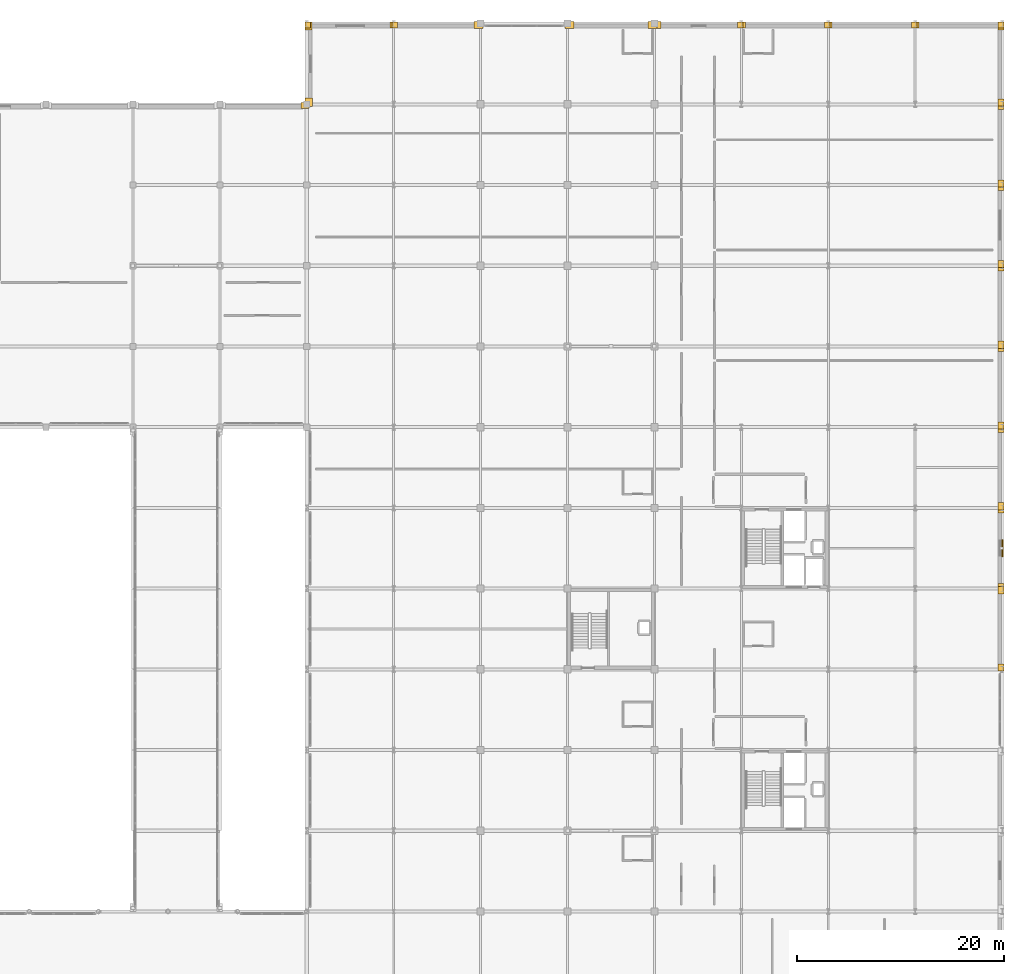
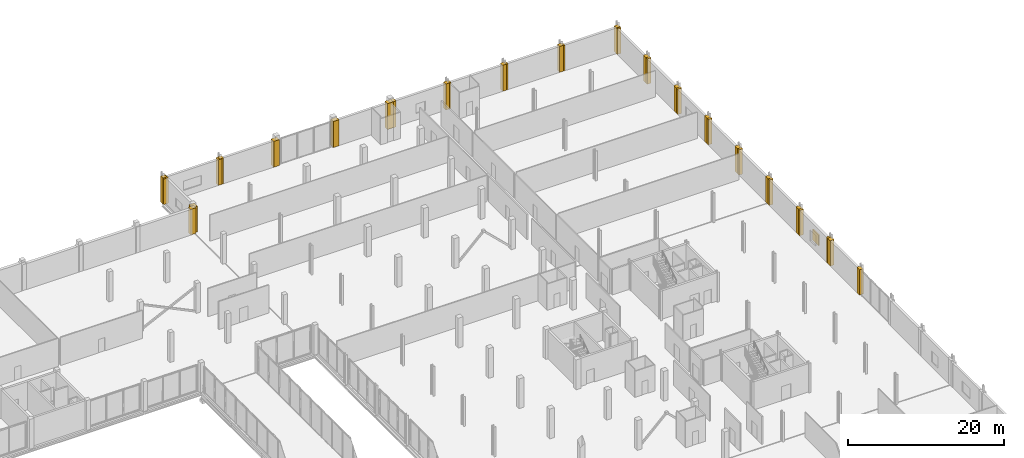
# One storey, part 98 of 98: 33 coverings, 1 shading device.
"""IFC4 building model written with IfcOpenShell, lengths in metres."""

from ifc_helpers import new_model, si_unit, direction, frame, origin, origin_2d, place, context, subcontext, project, spatial, polyline, rectangle, outline, extrude, material, layer, layer_set, type_object, element, save


model = new_model("IFC4")

# Units and contexts
model_context = context("Model", 3, precision=1e-05, world=origin(), true_north=direction((0.0, 1.0)))
body_context = subcontext(model_context, "Body", "Model", "MODEL_VIEW")
ifc_project = project(units=[si_unit("LENGTHUNIT", "METRE"), si_unit("AREAUNIT", "SQUARE_METRE"), si_unit("VOLUMEUNIT", "CUBIC_METRE"), si_unit("PLANEANGLEUNIT", "RADIAN"), si_unit("MASSUNIT", "GRAM", prefix="KILO")], contexts=[model_context])

# Site, building, storey
site_placement = place(None, origin())
site = spatial("IfcSite", under=ifc_project, at=site_placement, CompositionType="ELEMENT")
building_placement = place(site_placement, origin())
building = spatial("IfcBuilding", under=site, at=building_placement, Name="Nabrawat Pavilion Hospital", CompositionType="ELEMENT")
storey_placement = place(building_placement, frame((0.0, 0.0, 10.199951171875)))
storey = spatial("IfcBuildingStorey", under=building, at=storey_placement, Name="L02", CompositionType="ELEMENT", Elevation=10.199951171875)

# Coverings
ifc_material = material(Name="Precast concrete C40/50", Category="concrete")
ifc_layer_1 = layer(ifc_material, 0.360107421875, Name="Precast concrete C40/50")
ifc_layer_set_1 = layer_set([ifc_layer_1], Name="Precast concrete C40/50")
covering_type = type_object("IfcCoveringType", Name="Architectural Precast Column-Jamb Closure Reveal", PredefinedType="CLADDING", material=ifc_layer_set_1)
covering_1_placement = place(storey_placement, origin())
element("IfcCovering", 1, at=covering_1_placement, inside=storey, type_object=covering_type, Name="L02 Precast Facade Column-Jamb Weatherseal Closure 0368", PredefinedType="CLADDING", context=body_context, shape_type="SweptSolid", body=[
    extrude(outline(polyline([(126.195068359375, 116.5849609375), (126.195068359375, 117.195068359375), (125.455078125, 117.195068359375), (125.455078125, 116.5849609375), (126.195068359375, 116.5849609375)])), origin(), (0.0, 0.0, 1.0), 3.989990234375),
])
covering_2_placement = place(storey_placement, origin())
element("IfcCovering", 2, at=covering_2_placement, inside=storey, type_object=covering_type, Name="L02 Precast Facade Column-Jamb Weatherseal Closure 0387", PredefinedType="CLADDING", context=body_context, shape_type="SweptSolid", body=[
    extrude(outline(polyline([(126.534912109375, 116.804931640625), (126.534912109375, 117.635009765625), (125.804931640625, 117.635009765625), (125.804931640625, 116.804931640625), (126.534912109375, 116.804931640625)])), origin(), (0.0, 0.0, 1.0), 3.989990234375),
])
covering_3_placement = place(storey_placement, origin())
element("IfcCovering", 3, at=covering_3_placement, inside=storey, type_object=covering_type, Name="L02 Precast Facade Column-Jamb Weatherseal Closure 0388", PredefinedType="CLADDING", context=body_context, shape_type="SweptSolid", body=[
    extrude(outline(polyline([(126.52001953125, 124.179931640625), (126.52001953125, 124.97998046875), (125.820068359375, 124.97998046875), (125.820068359375, 124.179931640625), (126.52001953125, 124.179931640625)])), origin(), (0.0, 0.0, 1.0), 3.989990234375),
])
covering_4_placement = place(storey_placement, origin())
element("IfcCovering", 4, at=covering_4_placement, inside=storey, type_object=covering_type, Name="L02 Precast Facade Column-Jamb Weatherseal Closure 0389", PredefinedType="CLADDING", context=body_context, shape_type="SweptSolid", body=[
    extrude(outline(polyline([(126.3798828125, 124.39990234375), (126.3798828125, 124.97998046875), (125.820068359375, 124.97998046875), (125.820068359375, 124.39990234375), (126.3798828125, 124.39990234375)])), origin(), (0.0, 0.0, 1.0), 3.989990234375),
])
covering_5_placement = place(storey_placement, origin())
element("IfcCovering", 5, at=covering_5_placement, inside=storey, type_object=covering_type, Name="L02 Precast Facade Column-Jamb Weatherseal Closure 0390", PredefinedType="CLADDING", context=body_context, shape_type="SweptSolid", body=[
    extrude(outline(polyline([(134.580078125, 124.39990234375), (134.580078125, 124.97998046875), (134.02001953125, 124.97998046875), (134.02001953125, 124.39990234375), (134.580078125, 124.39990234375)])), origin(), (0.0, 0.0, 1.0), 3.989990234375),
])
covering_6_placement = place(storey_placement, origin())
element("IfcCovering", 6, at=covering_6_placement, inside=storey, type_object=covering_type, Name="L02 Precast Facade Column-Jamb Weatherseal Closure 0391", PredefinedType="CLADDING", context=body_context, shape_type="SweptSolid", body=[
    extrude(outline(polyline([(134.780029296875, 124.39990234375), (134.780029296875, 124.97998046875), (134.219970703125, 124.97998046875), (134.219970703125, 124.39990234375), (134.780029296875, 124.39990234375)])), origin(), (0.0, 0.0, 1.0), 4.0400390625),
])
covering_7_placement = place(storey_placement, origin())
element("IfcCovering", 7, at=covering_7_placement, inside=storey, type_object=covering_type, Name="L02 Precast Facade Column-Jamb Weatherseal Closure 0392", PredefinedType="CLADDING", context=body_context, shape_type="SweptSolid", body=[
    extrude(outline(polyline([(143.027587890625, 124.3525390625), (143.027587890625, 125.027587890625), (142.172607421875, 125.027587890625), (142.172607421875, 124.3525390625), (143.027587890625, 124.3525390625)])), origin(), (0.0, 0.0, 1.0), 4.0400390625),
])
covering_8_placement = place(storey_placement, origin())
element("IfcCovering", 8, at=covering_8_placement, inside=storey, type_object=covering_type, Name="L02 Precast Facade Column-Jamb Weatherseal Closure 0393", PredefinedType="CLADDING", context=body_context, shape_type="SweptSolid", body=[
    extrude(outline(polyline([(151.827392578125, 124.3525390625), (151.827392578125, 125.027587890625), (150.972412109375, 125.027587890625), (150.972412109375, 124.3525390625), (151.827392578125, 124.3525390625)])), origin(), (0.0, 0.0, 1.0), 4.050048828125),
])
covering_9_placement = place(storey_placement, origin())
element("IfcCovering", 9, at=covering_9_placement, inside=storey, type_object=covering_type, Name="L02 Precast Facade Column-Jamb Weatherseal Closure 0394", PredefinedType="CLADDING", context=body_context, shape_type="SweptSolid", body=[
    extrude(outline(polyline([(159.827392578125, 124.3525390625), (159.827392578125, 125.027587890625), (158.972412109375, 125.027587890625), (158.972412109375, 124.3525390625), (159.827392578125, 124.3525390625)])), origin(), (0.0, 0.0, 1.0), 4.050048828125),
])
covering_10_placement = place(storey_placement, origin())
element("IfcCovering", 10, at=covering_10_placement, inside=storey, type_object=covering_type, Name="L02 Precast Facade Column-Jamb Weatherseal Closure 0395", PredefinedType="CLADDING", context=body_context, shape_type="SweptSolid", body=[
    extrude(outline(polyline([(160.2275390625, 124.3525390625), (160.2275390625, 125.027587890625), (159.37255859375, 125.027587890625), (159.37255859375, 124.3525390625), (160.2275390625, 124.3525390625)])), origin(), (0.0, 0.0, 1.0), 4.050048828125),
])
covering_11_placement = place(storey_placement, origin())
element("IfcCovering", 11, at=covering_11_placement, inside=storey, type_object=covering_type, Name="L02 Precast Facade Column-Jamb Weatherseal Closure 0396", PredefinedType="CLADDING", context=body_context, shape_type="SweptSolid", body=[
    extrude(outline(polyline([(168.179931640625, 124.39990234375), (168.179931640625, 124.97998046875), (167.6201171875, 124.97998046875), (167.6201171875, 124.39990234375), (168.179931640625, 124.39990234375)])), origin(), (0.0, 0.0, 1.0), 4.050048828125),
])
covering_12_placement = place(storey_placement, origin())
element("IfcCovering", 12, at=covering_12_placement, inside=storey, type_object=covering_type, Name="L02 Precast Facade Column-Jamb Weatherseal Closure 0397", PredefinedType="CLADDING", context=body_context, shape_type="SweptSolid", body=[
    extrude(outline(polyline([(168.3798828125, 124.39990234375), (168.3798828125, 124.97998046875), (167.820068359375, 124.97998046875), (167.820068359375, 124.39990234375), (168.3798828125, 124.39990234375)])), origin(), (0.0, 0.0, 1.0), 4.050048828125),
])
covering_13_placement = place(storey_placement, origin())
element("IfcCovering", 13, at=covering_13_placement, inside=storey, type_object=covering_type, Name="L02 Precast Facade Column-Jamb Weatherseal Closure 0398", PredefinedType="CLADDING", context=body_context, shape_type="SweptSolid", body=[
    extrude(outline(polyline([(176.580078125, 124.39990234375), (176.580078125, 124.97998046875), (176.02001953125, 124.97998046875), (176.02001953125, 124.39990234375), (176.580078125, 124.39990234375)])), origin(), (0.0, 0.0, 1.0), 4.050048828125),
])
covering_14_placement = place(storey_placement, origin())
element("IfcCovering", 14, at=covering_14_placement, inside=storey, type_object=covering_type, Name="L02 Precast Facade Column-Jamb Weatherseal Closure 0399", PredefinedType="CLADDING", context=body_context, shape_type="SweptSolid", body=[
    extrude(outline(polyline([(176.780029296875, 124.39990234375), (176.780029296875, 124.97998046875), (176.219970703125, 124.97998046875), (176.219970703125, 124.39990234375), (176.780029296875, 124.39990234375)])), origin(), (0.0, 0.0, 1.0), 4.050048828125),
])
covering_15_placement = place(storey_placement, origin())
element("IfcCovering", 15, at=covering_15_placement, inside=storey, type_object=covering_type, Name="L02 Precast Facade Column-Jamb Weatherseal Closure 0400", PredefinedType="CLADDING", context=body_context, shape_type="SweptSolid", body=[
    extrude(outline(polyline([(184.97998046875, 124.39990234375), (184.97998046875, 124.97998046875), (184.419921875, 124.97998046875), (184.419921875, 124.39990234375), (184.97998046875, 124.39990234375)])), origin(), (0.0, 0.0, 1.0), 4.050048828125),
])
covering_16_placement = place(storey_placement, origin())
element("IfcCovering", 16, at=covering_16_placement, inside=storey, type_object=covering_type, Name="L02 Precast Facade Column-Jamb Weatherseal Closure 0401", PredefinedType="CLADDING", context=body_context, shape_type="SweptSolid", body=[
    extrude(outline(polyline([(185.179931640625, 124.39990234375), (185.179931640625, 124.97998046875), (184.6201171875, 124.97998046875), (184.6201171875, 124.39990234375), (185.179931640625, 124.39990234375)])), origin(), (0.0, 0.0, 1.0), 4.0),
])
covering_17_placement = place(storey_placement, origin())
element("IfcCovering", 17, at=covering_17_placement, inside=storey, type_object=covering_type, Name="L02 Precast Facade Column-Jamb Weatherseal Closure 0402", PredefinedType="CLADDING", context=body_context, shape_type="SweptSolid", body=[
    extrude(outline(polyline([(193.3798828125, 124.39990234375), (193.3798828125, 124.97998046875), (192.820068359375, 124.97998046875), (192.820068359375, 124.39990234375), (193.3798828125, 124.39990234375)])), origin(), (0.0, 0.0, 1.0), 4.0),
])
covering_18_placement = place(storey_placement, origin())
element("IfcCovering", 18, at=covering_18_placement, inside=storey, type_object=covering_type, Name="L02 Precast Facade Column-Jamb Weatherseal Closure 0415", PredefinedType="CLADDING", context=body_context, shape_type="SweptSolid", body=[
    extrude(outline(polyline([(193.3798828125, 62.219970703125), (193.3798828125, 62.905029296875), (192.800048828125, 62.905029296875), (192.800048828125, 62.219970703125), (193.3798828125, 62.219970703125)])), origin(), (0.0, 0.0, 1.0), 3.949951171875),
])
covering_19_placement = place(storey_placement, origin())
element("IfcCovering", 19, at=covering_19_placement, inside=storey, type_object=covering_type, Name="L02 Precast Facade Column-Jamb Weatherseal Closure 0416", PredefinedType="CLADDING", context=body_context, shape_type="SweptSolid", body=[
    extrude(outline(polyline([(193.3798828125, 69.695068359375), (193.3798828125, 70.3798828125), (192.800048828125, 70.3798828125), (192.800048828125, 69.695068359375), (193.3798828125, 69.695068359375)])), origin(), (0.0, 0.0, 1.0), 3.949951171875),
])
covering_20_placement = place(storey_placement, origin())
element("IfcCovering", 20, at=covering_20_placement, inside=storey, type_object=covering_type, Name="L02 Precast Facade Column-Jamb Weatherseal Closure 0417", PredefinedType="CLADDING", context=body_context, shape_type="SweptSolid", body=[
    extrude(outline(polyline([(193.3798828125, 70.02001953125), (193.3798828125, 70.705078125), (192.800048828125, 70.705078125), (192.800048828125, 70.02001953125), (193.3798828125, 70.02001953125)])), origin(), (0.0, 0.0, 1.0), 3.949951171875),
])
covering_21_placement = place(storey_placement, origin())
element("IfcCovering", 21, at=covering_21_placement, inside=storey, type_object=covering_type, Name="L02 Precast Facade Column-Jamb Weatherseal Closure 0418", PredefinedType="CLADDING", context=body_context, shape_type="SweptSolid", body=[
    extrude(outline(polyline([(193.3798828125, 77.4951171875), (193.3798828125, 78.179931640625), (192.800048828125, 78.179931640625), (192.800048828125, 77.4951171875), (193.3798828125, 77.4951171875)])), origin(), (0.0, 0.0, 1.0), 3.949951171875),
])
covering_22_placement = place(storey_placement, origin())
element("IfcCovering", 22, at=covering_22_placement, inside=storey, type_object=covering_type, Name="L02 Precast Facade Column-Jamb Weatherseal Closure 0419", PredefinedType="CLADDING", context=body_context, shape_type="SweptSolid", body=[
    extrude(outline(polyline([(193.3798828125, 77.820068359375), (193.3798828125, 78.5048828125), (192.800048828125, 78.5048828125), (192.800048828125, 77.820068359375), (193.3798828125, 77.820068359375)])), origin(), (0.0, 0.0, 1.0), 3.949951171875),
])
covering_23_placement = place(storey_placement, origin())
element("IfcCovering", 23, at=covering_23_placement, inside=storey, type_object=covering_type, Name="L02 Precast Facade Column-Jamb Weatherseal Closure 0420", PredefinedType="CLADDING", context=body_context, shape_type="SweptSolid", body=[
    extrude(outline(polyline([(193.3798828125, 85.294921875), (193.3798828125, 85.97998046875), (192.800048828125, 85.97998046875), (192.800048828125, 85.294921875), (193.3798828125, 85.294921875)])), origin(), (0.0, 0.0, 1.0), 3.949951171875),
])
covering_24_placement = place(storey_placement, origin())
element("IfcCovering", 24, at=covering_24_placement, inside=storey, type_object=covering_type, Name="L02 Precast Facade Column-Jamb Weatherseal Closure 0421", PredefinedType="CLADDING", context=body_context, shape_type="SweptSolid", body=[
    extrude(outline(polyline([(193.3798828125, 85.6201171875), (193.3798828125, 86.304931640625), (192.800048828125, 86.304931640625), (192.800048828125, 85.6201171875), (193.3798828125, 85.6201171875)])), origin(), (0.0, 0.0, 1.0), 3.949951171875),
])
covering_25_placement = place(storey_placement, origin())
element("IfcCovering", 25, at=covering_25_placement, inside=storey, type_object=covering_type, Name="L02 Precast Facade Column-Jamb Weatherseal Closure 0422", PredefinedType="CLADDING", context=body_context, shape_type="SweptSolid", body=[
    extrude(outline(polyline([(193.3798828125, 93.094970703125), (193.3798828125, 93.780029296875), (192.800048828125, 93.780029296875), (192.800048828125, 93.094970703125), (193.3798828125, 93.094970703125)])), origin(), (0.0, 0.0, 1.0), 3.949951171875),
])
covering_26_placement = place(storey_placement, origin())
element("IfcCovering", 26, at=covering_26_placement, inside=storey, type_object=covering_type, Name="L02 Precast Facade Column-Jamb Weatherseal Closure 0423", PredefinedType="CLADDING", context=body_context, shape_type="SweptSolid", body=[
    extrude(outline(polyline([(193.3798828125, 93.419921875), (193.3798828125, 94.10498046875), (192.800048828125, 94.10498046875), (192.800048828125, 93.419921875), (193.3798828125, 93.419921875)])), origin(), (0.0, 0.0, 1.0), 3.949951171875),
])
covering_27_placement = place(storey_placement, origin())
element("IfcCovering", 27, at=covering_27_placement, inside=storey, type_object=covering_type, Name="L02 Precast Facade Column-Jamb Weatherseal Closure 0424", PredefinedType="CLADDING", context=body_context, shape_type="SweptSolid", body=[
    extrude(outline(polyline([(193.3798828125, 100.89501953125), (193.3798828125, 101.580078125), (192.800048828125, 101.580078125), (192.800048828125, 100.89501953125), (193.3798828125, 100.89501953125)])), origin(), (0.0, 0.0, 1.0), 3.949951171875),
])
covering_28_placement = place(storey_placement, origin())
element("IfcCovering", 28, at=covering_28_placement, inside=storey, type_object=covering_type, Name="L02 Precast Facade Column-Jamb Weatherseal Closure 0425", PredefinedType="CLADDING", context=body_context, shape_type="SweptSolid", body=[
    extrude(outline(polyline([(193.3798828125, 101.219970703125), (193.3798828125, 101.905029296875), (192.800048828125, 101.905029296875), (192.800048828125, 101.219970703125), (193.3798828125, 101.219970703125)])), origin(), (0.0, 0.0, 1.0), 3.949951171875),
])
covering_29_placement = place(storey_placement, origin())
element("IfcCovering", 29, at=covering_29_placement, inside=storey, type_object=covering_type, Name="L02 Precast Facade Column-Jamb Weatherseal Closure 0426", PredefinedType="CLADDING", context=body_context, shape_type="SweptSolid", body=[
    extrude(outline(polyline([(193.3798828125, 108.695068359375), (193.3798828125, 109.3798828125), (192.800048828125, 109.3798828125), (192.800048828125, 108.695068359375), (193.3798828125, 108.695068359375)])), origin(), (0.0, 0.0, 1.0), 3.949951171875),
])
covering_30_placement = place(storey_placement, origin())
element("IfcCovering", 30, at=covering_30_placement, inside=storey, type_object=covering_type, Name="L02 Precast Facade Column-Jamb Weatherseal Closure 0427", PredefinedType="CLADDING", context=body_context, shape_type="SweptSolid", body=[
    extrude(outline(polyline([(193.3798828125, 109.02001953125), (193.3798828125, 109.705078125), (192.800048828125, 109.705078125), (192.800048828125, 109.02001953125), (193.3798828125, 109.02001953125)])), origin(), (0.0, 0.0, 1.0), 3.949951171875),
])
covering_31_placement = place(storey_placement, origin())
element("IfcCovering", 31, at=covering_31_placement, inside=storey, type_object=covering_type, Name="L02 Precast Facade Column-Jamb Weatherseal Closure 0428", PredefinedType="CLADDING", context=body_context, shape_type="SweptSolid", body=[
    extrude(outline(polyline([(193.3798828125, 116.4951171875), (193.3798828125, 117.179931640625), (192.800048828125, 117.179931640625), (192.800048828125, 116.4951171875), (193.3798828125, 116.4951171875)])), origin(), (0.0, 0.0, 1.0), 3.949951171875),
])
covering_32_placement = place(storey_placement, origin())
element("IfcCovering", 32, at=covering_32_placement, inside=storey, type_object=covering_type, Name="L02 Precast Facade Column-Jamb Weatherseal Closure 0429", PredefinedType="CLADDING", context=body_context, shape_type="SweptSolid", body=[
    extrude(outline(polyline([(193.3798828125, 116.820068359375), (193.3798828125, 117.5048828125), (192.800048828125, 117.5048828125), (192.800048828125, 116.820068359375), (193.3798828125, 116.820068359375)])), origin(), (0.0, 0.0, 1.0), 3.949951171875),
])
covering_33_placement = place(storey_placement, origin())
element("IfcCovering", 33, at=covering_33_placement, inside=storey, type_object=covering_type, Name="L02 Precast Facade Column-Jamb Weatherseal Closure 0430", PredefinedType="CLADDING", context=body_context, shape_type="SweptSolid", body=[
    extrude(outline(polyline([(193.3798828125, 124.179931640625), (193.3798828125, 124.97998046875), (192.800048828125, 124.97998046875), (192.800048828125, 124.179931640625), (193.3798828125, 124.179931640625)])), origin(), (0.0, 0.0, 1.0), 3.949951171875),
])

# Shading device
ifc_layer_2 = layer(ifc_material, 2.39990234375, Name="Precast concrete C40/50")
ifc_layer_set_2 = layer_set([ifc_layer_2], Name="Precast concrete C40/50")
shading_device_type = type_object("IfcShadingDeviceType", Name="Perforated GFRC Mashrabiya Solar Fin", PredefinedType="JALOUSIE", material=ifc_layer_set_2)
shading_device_placement = place(storey_placement, frame((193.22998046875, 74.10009765625, 0.85009765625), z_axis=(0.0, 0.0, 1.0), x_axis=(0.0, 1.0, 0.0)))
element("IfcShadingDevice", 34, at=shading_device_placement, inside=storey, type_object=shading_device_type, Name="L02 Perforated GFRC Mashrabiya Screen 014", PredefinedType="JALOUSIE", context=body_context, shape_type="SweptSolid", body=[
    extrude(rectangle(XDim=1.60009765625, YDim=0.139892578125, at=origin_2d()), origin(), (0.0, 0.0, 1.0), 1.64990234375),
])

save(model, "model.ifc")
